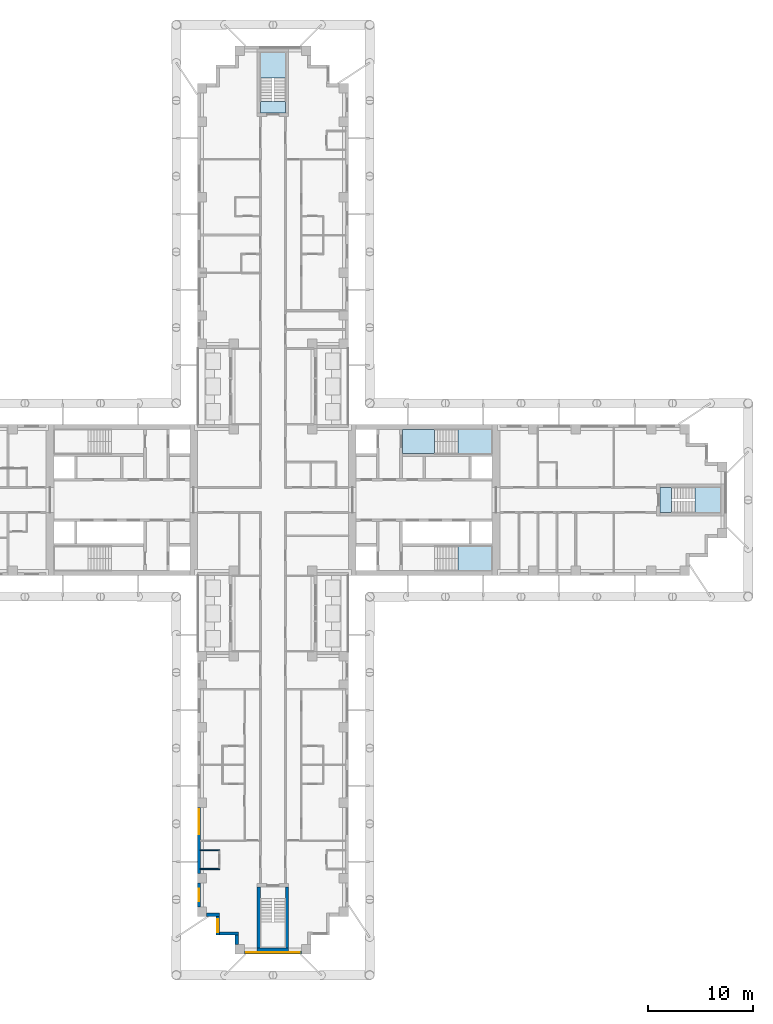
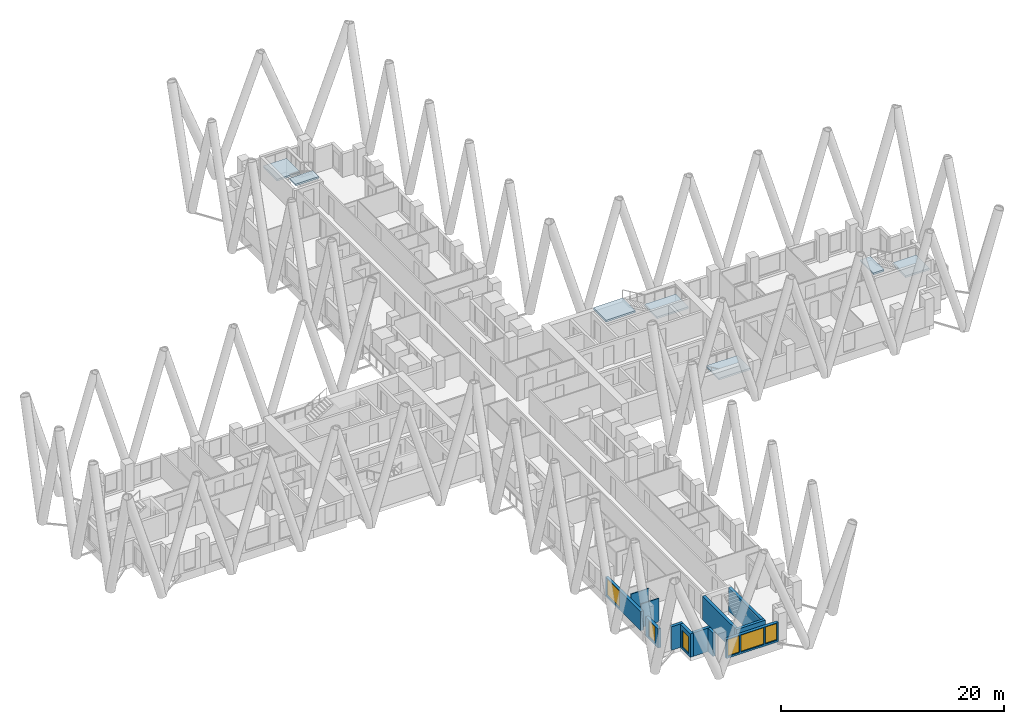
# One storey, part 3 of 16: 12 walls, 7 slabs, 6 windows, 6 openings, 4 elements without a shape of their own.
"""IFC4 building model written with IfcOpenShell, lengths in metres."""

from ifc_helpers import new_model, si_unit, direction, frame, frame_2d, origin, place, context, subcontext, project, spatial, polyline, rectangle, outline, extrude, material, layer, layer_set, type_object, element, fill, aggregate, save


model = new_model("IFC4")

# Units and contexts
model_context = context("Model", 3, precision=1e-05, world=origin(), true_north=direction((0.0, 1.0)))
body_context = subcontext(model_context, "Body", "Model", "MODEL_VIEW")
ifc_project = project(units=[si_unit("LENGTHUNIT", "METRE"), si_unit("AREAUNIT", "SQUARE_METRE"), si_unit("VOLUMEUNIT", "CUBIC_METRE"), si_unit("PLANEANGLEUNIT", "RADIAN"), si_unit("MASSUNIT", "GRAM", prefix="KILO")], contexts=[model_context])

# Site, building, storey
site_placement = place(None, origin())
site = spatial("IfcSite", under=ifc_project, at=site_placement, CompositionType="ELEMENT")
building_placement = place(site_placement, origin())
building = spatial("IfcBuilding", under=site, at=building_placement, Name="Fustian Cross Tower", CompositionType="ELEMENT")
storey_placement = place(building_placement, frame((0.0, 0.0, 44.699951171875)))
storey = spatial("IfcBuildingStorey", under=building, at=storey_placement, Name="L13", CompositionType="ELEMENT", Elevation=44.699951171875)

# Stair, slabs
ifc_material_1 = material(Name="Concrete C50/60", Category="concrete")
stair_type_1 = type_object("IfcStairType", Name="STAIR 1150 HALF TURN", PredefinedType="HALF_TURN_STAIR", material=ifc_material_1)
stair_1_placement = place(storey_placement, origin())
stair_1 = element("IfcStair", 1, at=stair_1_placement, inside=storey, type_object=stair_type_1, Name="Stair ST1", PredefinedType="HALF_TURN_STAIR")
ifc_material_2 = material(Name="Concrete C50/60", Category="concrete")
ifc_layer_1 = layer(ifc_material_2, 0.199951171875)
ifc_layer_set_1 = layer_set([ifc_layer_1], Name="Concrete C50/60")
slab_type = type_object("IfcSlabType", Name="STAIR LANDING", PredefinedType="LANDING", material=ifc_layer_set_1)
slab_1_placement = place(storey_placement, frame((0.0, 0.0, 1.300048828125)))
slab_1 = element("IfcSlab", 2, at=slab_1_placement, type_object=slab_type, Name="ST1 landing 1", PredefinedType="LANDING", context=body_context, shape_type="SweptSolid", body=[
    extrude(outline(polyline([(17.590087890625, 4.39990234375), (20.85009765625, 4.39990234375), (20.85009765625, 6.699951171875), (17.590087890625, 6.699951171875), (17.590087890625, 4.39990234375)])), origin(), (0.0, 0.0, 1.0), 0.199951171875),
])
slab_2_placement = place(storey_placement, frame((0.0, 0.0, 2.800048828125)))
slab_2 = element("IfcSlab", 3, at=slab_2_placement, type_object=slab_type, Name="ST1 landing 2", PredefinedType="LANDING", context=body_context, shape_type="SweptSolid", body=[
    extrude(outline(polyline([(12.300048828125, 4.39990234375), (15.35009765625, 4.39990234375), (15.35009765625, 6.699951171875), (12.300048828125, 6.699951171875), (12.300048828125, 4.39990234375)])), origin(), (0.0, 0.0, 1.0), 0.199951171875),
])
aggregate(stair_1, [slab_1, slab_2])

# Stair, slab
stair_2_placement = place(storey_placement, origin())
stair_2 = element("IfcStair", 4, at=stair_2_placement, inside=storey, type_object=stair_type_1, Name="Stair ST2", PredefinedType="HALF_TURN_STAIR")
slab_3_placement = place(storey_placement, frame((0.0, 0.0, 1.300048828125)))
slab_3 = element("IfcSlab", 5, at=slab_3_placement, type_object=slab_type, Name="ST2 landing 1", PredefinedType="LANDING", context=body_context, shape_type="SweptSolid", body=[
    extrude(outline(polyline([(17.590087890625, -4.39990234375), (20.85009765625, -4.39990234375), (20.85009765625, -6.699951171875), (17.590087890625, -6.699951171875), (17.590087890625, -4.39990234375)])), origin(), (0.0, 0.0, 1.0), 0.199951171875),
])
aggregate(stair_2, [slab_3])

# Stair, slabs
ifc_material_3 = material(Name="Concrete C50/60", Category="concrete")
stair_type_2 = type_object("IfcStairType", Name="STAIR 1100 HALF TURN", PredefinedType="HALF_TURN_STAIR", material=ifc_material_3)
stair_3_placement = place(storey_placement, origin())
stair_3 = element("IfcStair", 6, at=stair_3_placement, inside=storey, type_object=stair_type_2, Name="Stair ST5", PredefinedType="HALF_TURN_STAIR")
slab_4_placement = place(storey_placement, frame((0.0, 0.0, 1.300048828125)))
slab_4 = element("IfcSlab", 7, at=slab_4_placement, type_object=slab_type, Name="ST5 landing 1", PredefinedType="LANDING", context=body_context, shape_type="SweptSolid", body=[
    extrude(outline(polyline([(-1.199951171875, 40.139892578125), (-1.199951171875, 42.60009765625), (1.199951171875, 42.60009765625), (1.199951171875, 40.139892578125), (-1.199951171875, 40.139892578125)])), origin(), (0.0, 0.0, 1.0), 0.199951171875),
])
slab_5_placement = place(storey_placement, frame((0.0, 0.0, 2.800048828125)))
slab_5 = element("IfcSlab", 8, at=slab_5_placement, type_object=slab_type, Name="ST5 landing 2", PredefinedType="LANDING", context=body_context, shape_type="SweptSolid", body=[
    extrude(outline(polyline([(-1.199951171875, 36.800048828125), (-1.199951171875, 37.89990234375), (1.199951171875, 37.89990234375), (1.199951171875, 36.800048828125), (-1.199951171875, 36.800048828125)])), origin(), (0.0, 0.0, 1.0), 0.199951171875),
])
aggregate(stair_3, [slab_4, slab_5])

stair_4_placement = place(storey_placement, origin())
stair_4 = element("IfcStair", 9, at=stair_4_placement, inside=storey, type_object=stair_type_2, Name="Stair ST8", PredefinedType="HALF_TURN_STAIR")
slab_6_placement = place(storey_placement, frame((0.0, 0.0, 1.300048828125)))
slab_6 = element("IfcSlab", 10, at=slab_6_placement, type_object=slab_type, Name="ST8 landing 1", PredefinedType="LANDING", context=body_context, shape_type="SweptSolid", body=[
    extrude(outline(polyline([(40.139892578125, -1.199951171875), (42.60009765625, -1.199951171875), (42.60009765625, 1.199951171875), (40.139892578125, 1.199951171875), (40.139892578125, -1.199951171875)])), origin(), (0.0, 0.0, 1.0), 0.199951171875),
])
slab_7_placement = place(storey_placement, frame((0.0, 0.0, 2.800048828125)))
slab_7 = element("IfcSlab", 11, at=slab_7_placement, type_object=slab_type, Name="ST8 landing 2", PredefinedType="LANDING", context=body_context, shape_type="SweptSolid", body=[
    extrude(outline(polyline([(36.800048828125, -1.199951171875), (37.89990234375, -1.199951171875), (37.89990234375, 1.199951171875), (36.800048828125, 1.199951171875), (36.800048828125, -1.199951171875)])), origin(), (0.0, 0.0, 1.0), 0.199951171875),
])
aggregate(stair_4, [slab_6, slab_7])

# Walls
ifc_material_4 = material(Name="Plasterboard on steel stud", Category="steel")
ifc_layer_2 = layer(ifc_material_4, 0.10009765625)
ifc_layer_set_2 = layer_set([ifc_layer_2], Name="Plasterboard on steel stud")
wall_type_1 = type_object("IfcWallType", Name="PARTITION 100 STUD", PredefinedType="PARTITIONING", material=ifc_layer_set_2)
for number, where, z_axis, x_axis, name in (
    (12, (-6.89990234375, -35.10009765625, 0.0), (0.0, 0.0, 1.0), (1.0, 0.0, 0.0), "Partition 18"),
    (13, (-6.89990234375, -33.300048828125, 0.0), (0.0, 0.0, 1.0), (1.0, 0.0, 0.0), "Partition 19"),
):
    element("IfcWall", number, at=place(storey_placement, frame(where, z_axis=z_axis, x_axis=x_axis)), inside=storey, type_object=wall_type_1, Name=name, PredefinedType="PARTITIONING", context=body_context, shape_type="SweptSolid", body=[
        extrude(rectangle(XDim=1.849853515625, YDim=0.10009765625, at=frame_2d((0.9248046875, 0.0))), origin(), (0.0, 0.0, 1.0), 2.574951171875),
    ])
ifc_material_5 = material(Name="Concrete C50/60", Category="concrete")
ifc_layer_3 = layer(ifc_material_5, 0.300048828125)
ifc_layer_set_3 = layer_set([ifc_layer_3], Name="Concrete C50/60")
wall_type_2 = type_object("IfcWallType", Name="STAIR ENCLOSURE WALL 300 C50/60", PredefinedType="SHEAR", material=ifc_layer_set_3)
wall_1_placement = place(storey_placement, frame((-1.5, -42.75, 0.0), z_axis=(0.0, 0.0, 1.0), x_axis=(1.0, 0.0, 0.0)))
element("IfcWall", 14, at=wall_1_placement, inside=storey, type_object=wall_type_2, Name="Stair enclosure wall", PredefinedType="SHEAR", context=body_context, shape_type="SweptSolid", body=[
    extrude(rectangle(XDim=3.0, YDim=0.300048828125, at=frame_2d((1.5, 0.0))), origin(), (0.0, 0.0, 1.0), 2.574951171875),
])
for number, where, z_axis, x_axis, name in (
    (15, (-1.35009765625, -36.800048828125, 0.0), (0.0, 0.0, 1.0), (0.0, -1.0, 0.0), "Stair enclosure wall"),
    (16, (1.35009765625, -36.800048828125, 0.0), (0.0, 0.0, 1.0), (0.0, -1.0, 0.0), "Stair enclosure wall"),
):
    element("IfcWall", number, at=place(storey_placement, frame(where, z_axis=z_axis, x_axis=x_axis)), inside=storey, type_object=wall_type_2, Name=name, PredefinedType="SHEAR", context=body_context, shape_type="SweptSolid", body=[
        extrude(rectangle(XDim=5.800048828125, YDim=0.300048828125, at=frame_2d((2.89990234375, 0.0))), origin(), (0.0, 0.0, 1.0), 2.574951171875),
    ])

# Wall, opening, window
ifc_material_6 = material(Name="Dark aluminium cladding on insulated backing wall", Category="aluminium")
ifc_layer_4 = layer(ifc_material_6, 0.300048828125)
ifc_layer_set_4 = layer_set([ifc_layer_4], Name="Dark aluminium cladding on insulated backing wall")
wall_type_3 = type_object("IfcWallType", Name="XW1 EXTERNAL WALL 300", PredefinedType="SOLIDWALL", material=ifc_layer_set_4)
wall_2_placement = place(storey_placement, frame((-7.050048828125, -29.25, 0.0), z_axis=(0.0, 0.0, 1.0), x_axis=(0.0, -1.0, 0.0)))
wall_2 = element("IfcWall", 17, at=wall_2_placement, inside=storey, type_object=wall_type_3, Name="External wall", PredefinedType="SOLIDWALL", context=body_context, shape_type="SweptSolid", body=[
    extrude(rectangle(XDim=6.300048828125, YDim=0.300048828125, at=frame_2d((3.14990234375, 0.0))), origin(), (0.0, 0.0, 1.0), 2.10009765625),
])
opening_1_placement = place(wall_2_placement, frame((0.14990234375, 0.0, 0.199951171875)))
opening_1 = element("IfcOpeningElement", 18, at=opening_1_placement, cuts=wall_2, Name="Opening WN1", PredefinedType="OPENING", context=body_context, shape_type="SweptSolid", body=[
    extrude(rectangle(XDim=2.39990234375, YDim=1.85009765625, at=frame_2d((1.199951171875, 0.925048828125))), frame((0.0, 0.159912109375, 0.0), z_axis=(0.0, -1.0, 0.0), x_axis=(1.0, 0.0, 0.0)), (0.0, 0.0, 1.0), 0.320068359375),
])
ifc_material_7 = material(Name="Dark anodised aluminium and double glazing", Category="aluminium")
window_type_1 = type_object("IfcWindowType", Name="WN1 WINDOW 2400X1850", PartitioningType="SINGLE_PANEL", PredefinedType="WINDOW", material=ifc_material_7)
window_1_placement = place(opening_1_placement, origin())
window_1 = element("IfcWindow", 19, at=window_1_placement, inside=storey, type_object=window_type_1, Name="Window", OverallHeight=1.85009765625, OverallWidth=2.39990234375, PartitioningType="SINGLE_PANEL", PredefinedType="WINDOW", context=body_context, shape_type="SweptSolid", body=[
    extrude(rectangle(XDim=2.39990234375, YDim=1.85009765625, at=frame_2d((1.199951171875, 0.925048828125))), frame((0.0, 0.030029296875, 0.0), z_axis=(0.0, -1.0, 0.0), x_axis=(1.0, 0.0, 0.0)), (0.0, 0.0, 1.0), 0.06005859375),
])
fill(opening_1, window_1)

wall_3_placement = place(storey_placement, frame((-7.050048828125, -36.449951171875, 0.0), z_axis=(0.0, 0.0, 1.0), x_axis=(0.0, -1.0, 0.0)))
wall_3 = element("IfcWall", 20, at=wall_3_placement, inside=storey, type_object=wall_type_3, Name="External wall", PredefinedType="SOLIDWALL", context=body_context, shape_type="SweptSolid", body=[
    extrude(rectangle(XDim=2.25, YDim=0.300048828125, at=frame_2d((1.125, 0.0))), origin(), (0.0, 0.0, 1.0), 2.10009765625),
])
opening_2_placement = place(wall_3_placement, frame((0.52490234375, 0.0, 0.199951171875)))
opening_2 = element("IfcOpeningElement", 21, at=opening_2_placement, cuts=wall_3, Name="Opening WN3", PredefinedType="OPENING", context=body_context, shape_type="SweptSolid", body=[
    extrude(rectangle(XDim=1.199951171875, YDim=1.85009765625, at=frame_2d((0.60009765625, 0.925048828125))), frame((0.0, 0.159912109375, 0.0), z_axis=(0.0, -1.0, 0.0), x_axis=(1.0, 0.0, 0.0)), (0.0, 0.0, 1.0), 0.320068359375),
])
ifc_material_8 = material(Name="Dark anodised aluminium and double glazing", Category="aluminium")
window_type_2 = type_object("IfcWindowType", Name="WN3 WINDOW 1200X1850", PartitioningType="SINGLE_PANEL", PredefinedType="WINDOW", material=ifc_material_8)
window_2_placement = place(opening_2_placement, origin())
window_2 = element("IfcWindow", 22, at=window_2_placement, inside=storey, type_object=window_type_2, Name="Window", OverallHeight=1.85009765625, OverallWidth=1.199951171875, PartitioningType="SINGLE_PANEL", PredefinedType="WINDOW", context=body_context, shape_type="SweptSolid", body=[
    extrude(rectangle(XDim=1.199951171875, YDim=1.85009765625, at=frame_2d((0.60009765625, 0.925048828125))), frame((0.0, 0.030029296875, 0.0), z_axis=(0.0, -1.0, 0.0), x_axis=(1.0, 0.0, 0.0)), (0.0, 0.0, 1.0), 0.06005859375),
])
fill(opening_2, window_2)

# Wall
wall_4_placement = place(storey_placement, frame((-6.300048828125, -39.449951171875, 0.0), z_axis=(0.0, 0.0, 1.0), x_axis=(1.0, 0.0, 0.0)))
element("IfcWall", 23, at=wall_4_placement, inside=storey, type_object=wall_type_3, Name="External wall", PredefinedType="SOLIDWALL", context=body_context, shape_type="SweptSolid", body=[
    extrude(rectangle(XDim=1.199951171875, YDim=0.300048828125, at=frame_2d((0.60009765625, 0.0))), origin(), (0.0, 0.0, 1.0), 2.574951171875),
])

# Wall, opening, window
wall_5_placement = place(storey_placement, frame((-5.25, -39.60009765625, 0.0), z_axis=(0.0, 0.0, 1.0), x_axis=(0.0, -1.0, 0.0)))
wall_5 = element("IfcWall", 24, at=wall_5_placement, inside=storey, type_object=wall_type_3, Name="External wall", PredefinedType="SOLIDWALL", context=body_context, shape_type="SweptSolid", body=[
    extrude(rectangle(XDim=1.7998046875, YDim=0.300048828125, at=frame_2d((0.89990234375, 0.0))), origin(), (0.0, 0.0, 1.0), 2.574951171875),
])
opening_3_placement = place(wall_5_placement, frame((0.300048828125, 0.0, 0.199951171875)))
opening_3 = element("IfcOpeningElement", 25, at=opening_3_placement, cuts=wall_5, Name="Opening WN3", PredefinedType="OPENING", context=body_context, shape_type="SweptSolid", body=[
    extrude(rectangle(XDim=1.199951171875, YDim=1.85009765625, at=frame_2d((0.60009765625, 0.925048828125))), frame((0.0, 0.159912109375, 0.0), z_axis=(0.0, -1.0, 0.0), x_axis=(1.0, 0.0, 0.0)), (0.0, 0.0, 1.0), 0.320068359375),
])
window_3_placement = place(opening_3_placement, origin())
window_3 = element("IfcWindow", 26, at=window_3_placement, inside=storey, type_object=window_type_2, Name="Window", OverallHeight=1.85009765625, OverallWidth=1.199951171875, PartitioningType="SINGLE_PANEL", PredefinedType="WINDOW", context=body_context, shape_type="SweptSolid", body=[
    extrude(rectangle(XDim=1.199951171875, YDim=1.85009765625, at=frame_2d((0.60009765625, 0.925048828125))), frame((0.0, 0.030029296875, 0.0), z_axis=(0.0, -1.0, 0.0), x_axis=(1.0, 0.0, 0.0)), (0.0, 0.0, 1.0), 0.06005859375),
])
fill(opening_3, window_3)

# Walls
wall_6_placement = place(storey_placement, frame((-5.10009765625, -41.25, 0.0), z_axis=(0.0, 0.0, 1.0), x_axis=(1.0, 0.0, 0.0)))
element("IfcWall", 27, at=wall_6_placement, inside=storey, type_object=wall_type_3, Name="External wall", PredefinedType="SOLIDWALL", context=body_context, shape_type="SweptSolid", body=[
    extrude(rectangle(XDim=1.800048828125, YDim=0.300048828125, at=frame_2d((0.89990234375, 0.0))), origin(), (0.0, 0.0, 1.0), 2.574951171875),
])
wall_7_placement = place(storey_placement, frame((-3.449951171875, -41.39990234375, 0.0), z_axis=(0.0, 0.0, 1.0), x_axis=(0.0, -1.0, 0.0)))
element("IfcWall", 28, at=wall_7_placement, inside=storey, type_object=wall_type_3, Name="External wall", PredefinedType="SOLIDWALL", context=body_context, shape_type="SweptSolid", body=[
    extrude(rectangle(XDim=0.900146484375, YDim=0.300048828125, at=frame_2d((0.4501953125, 0.0))), origin(), (0.0, 0.0, 1.0), 2.574951171875),
])

# Wall, openings, windows
wall_8_placement = place(storey_placement, frame((-2.699951171875, -43.050048828125, 0.0), z_axis=(0.0, 0.0, 1.0), x_axis=(1.0, 0.0, 0.0)))
wall_8 = element("IfcWall", 29, at=wall_8_placement, inside=storey, type_object=wall_type_3, Name="External wall", PredefinedType="SOLIDWALL", context=body_context, shape_type="SweptSolid", body=[
    extrude(rectangle(XDim=5.39990234375, YDim=0.300048828125, at=frame_2d((2.699951171875, 0.0))), origin(), (0.0, 0.0, 1.0), 2.10009765625),
])
opening_4_placement = place(wall_8_placement, frame((1.5, 0.0, 0.199951171875)))
opening_4 = element("IfcOpeningElement", 30, at=opening_4_placement, cuts=wall_8, Name="Opening WN1", PredefinedType="OPENING", context=body_context, shape_type="SweptSolid", body=[
    extrude(rectangle(XDim=2.39990234375, YDim=1.85009765625, at=frame_2d((1.199951171875, 0.925048828125))), frame((0.0, 0.159912109375, 0.0), z_axis=(0.0, -1.0, 0.0), x_axis=(1.0, 0.0, 0.0)), (0.0, 0.0, 1.0), 0.320068359375),
])
opening_5_placement = place(wall_8_placement, frame((0.14990234375, 0.0, 0.199951171875)))
opening_5 = element("IfcOpeningElement", 31, at=opening_5_placement, cuts=wall_8, Name="Opening WN3", PredefinedType="OPENING", context=body_context, shape_type="SweptSolid", body=[
    extrude(rectangle(XDim=1.199951171875, YDim=1.85009765625, at=frame_2d((0.60009765625, 0.925048828125))), frame((0.0, 0.159912109375, 0.0), z_axis=(0.0, -1.0, 0.0), x_axis=(1.0, 0.0, 0.0)), (0.0, 0.0, 1.0), 0.320068359375),
])
opening_6_placement = place(wall_8_placement, frame((4.050048828125, 0.0, 0.199951171875)))
opening_6 = element("IfcOpeningElement", 32, at=opening_6_placement, cuts=wall_8, Name="Opening WN3", PredefinedType="OPENING", context=body_context, shape_type="SweptSolid", body=[
    extrude(rectangle(XDim=1.199951171875, YDim=1.85009765625, at=frame_2d((0.60009765625, 0.925048828125))), frame((0.0, 0.159912109375, 0.0), z_axis=(0.0, -1.0, 0.0), x_axis=(1.0, 0.0, 0.0)), (0.0, 0.0, 1.0), 0.320068359375),
])
window_4_placement = place(opening_4_placement, origin())
window_4 = element("IfcWindow", 33, at=window_4_placement, inside=storey, type_object=window_type_1, Name="Window", OverallHeight=1.85009765625, OverallWidth=2.39990234375, PartitioningType="SINGLE_PANEL", PredefinedType="WINDOW", context=body_context, shape_type="SweptSolid", body=[
    extrude(rectangle(XDim=2.39990234375, YDim=1.85009765625, at=frame_2d((1.199951171875, 0.925048828125))), frame((0.0, 0.030029296875, 0.0), z_axis=(0.0, -1.0, 0.0), x_axis=(1.0, 0.0, 0.0)), (0.0, 0.0, 1.0), 0.06005859375),
])
fill(opening_4, window_4)
window_5_placement = place(opening_5_placement, origin())
window_5 = element("IfcWindow", 34, at=window_5_placement, inside=storey, type_object=window_type_2, Name="Window", OverallHeight=1.85009765625, OverallWidth=1.199951171875, PartitioningType="SINGLE_PANEL", PredefinedType="WINDOW", context=body_context, shape_type="SweptSolid", body=[
    extrude(rectangle(XDim=1.199951171875, YDim=1.85009765625, at=frame_2d((0.60009765625, 0.925048828125))), frame((0.0, 0.030029296875, 0.0), z_axis=(0.0, -1.0, 0.0), x_axis=(1.0, 0.0, 0.0)), (0.0, 0.0, 1.0), 0.06005859375),
])
fill(opening_5, window_5)
window_6_placement = place(opening_6_placement, origin())
window_6 = element("IfcWindow", 35, at=window_6_placement, inside=storey, type_object=window_type_2, Name="Window", OverallHeight=1.85009765625, OverallWidth=1.199951171875, PartitioningType="SINGLE_PANEL", PredefinedType="WINDOW", context=body_context, shape_type="SweptSolid", body=[
    extrude(rectangle(XDim=1.199951171875, YDim=1.85009765625, at=frame_2d((0.60009765625, 0.925048828125))), frame((0.0, 0.030029296875, 0.0), z_axis=(0.0, -1.0, 0.0), x_axis=(1.0, 0.0, 0.0)), (0.0, 0.0, 1.0), 0.06005859375),
])
fill(opening_6, window_6)

save(model, "model.ifc")
